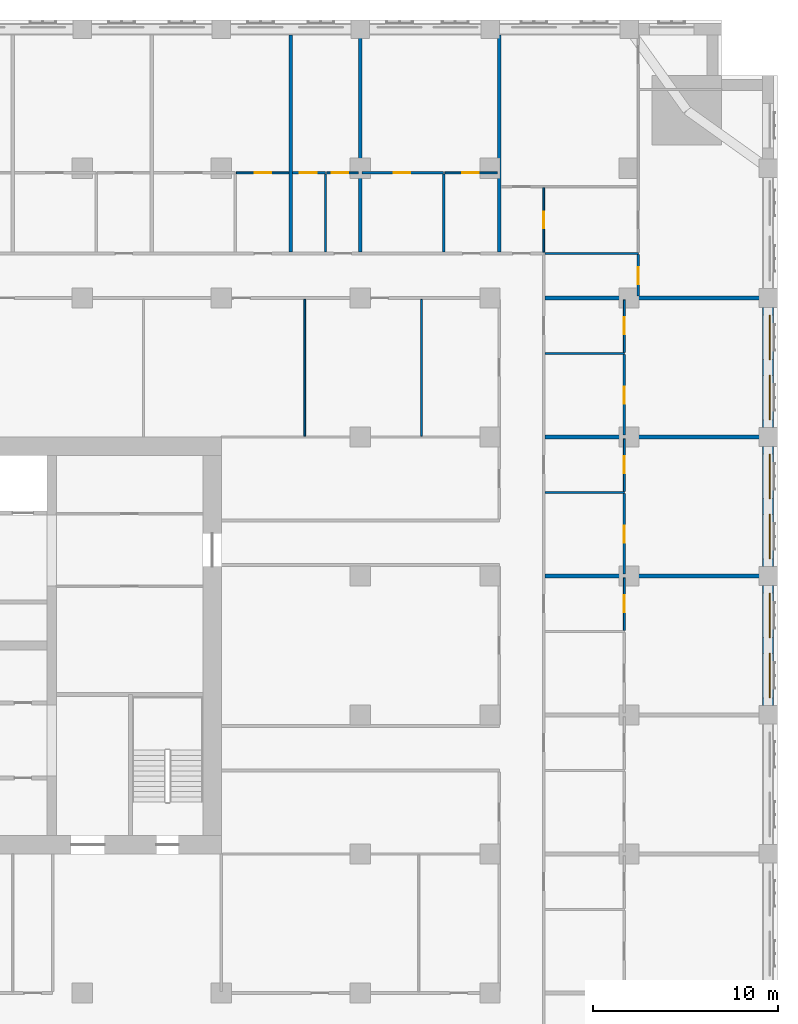
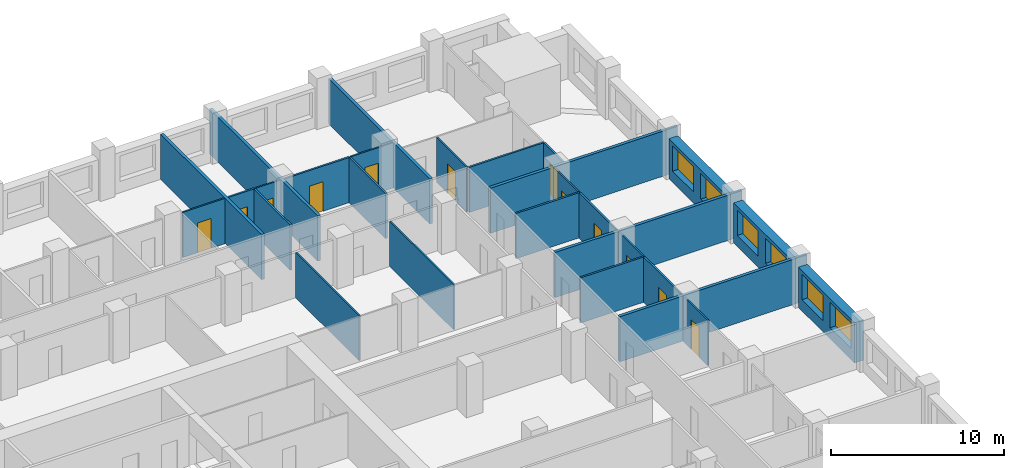
# One storey, part 10 of 14: 28 walls, 12 doors, 6 windows, 18 openings.
"""IFC4 building model written with IfcOpenShell, lengths in metres."""

from ifc_helpers import new_model, si_unit, direction, frame, frame_2d, origin, place, context, subcontext, project, spatial, rectangle, extrude, material, layer, layer_set, type_object, element, fill, save


model = new_model("IFC4")

# Units and contexts
model_context = context("Model", 3, precision=1e-05, world=origin(), true_north=direction((0.0, 1.0)))
body_context = subcontext(model_context, "Body", "Model", "MODEL_VIEW")
ifc_project = project(units=[si_unit("LENGTHUNIT", "METRE"), si_unit("AREAUNIT", "SQUARE_METRE"), si_unit("VOLUMEUNIT", "CUBIC_METRE"), si_unit("PLANEANGLEUNIT", "RADIAN"), si_unit("MASSUNIT", "GRAM", prefix="KILO")], contexts=[model_context])

# Site, building, storey
site_placement = place(None, origin())
site = spatial("IfcSite", under=ifc_project, at=site_placement, CompositionType="ELEMENT")
building_placement = place(site_placement, origin())
building = spatial("IfcBuilding", under=site, at=building_placement, Name="Tamorin Gate", CompositionType="ELEMENT")
storey_placement = place(building_placement, frame((0.0, 0.0, 115.10009765625)))
storey = spatial("IfcBuildingStorey", under=building, at=storey_placement, Name="L28", CompositionType="ELEMENT", Elevation=115.10009765625)

# Wall, openings, windows
ifc_material_1 = material(Name="Precast concrete C40/50", Category="concrete")
ifc_layer_1 = layer(ifc_material_1, 0.60009765625)
ifc_layer_set_1 = layer_set([ifc_layer_1], Name="Precast concrete C40/50")
wall_type_1 = type_object("IfcWallType", Name="Board-marked concrete facade panel 600", PredefinedType="SOLIDWALL", material=ifc_layer_set_1)
wall_1_placement = place(storey_placement, frame((89.5, 68.0, 0.0), z_axis=(0.0, 0.0, 1.0), x_axis=(0.0, 1.0, 0.0)))
wall_1 = element("IfcWall", 1, at=wall_1_placement, inside=storey, type_object=wall_type_1, Name="Facade panel", PredefinedType="SOLIDWALL", context=body_context, shape_type="SweptSolid", body=[
    extrude(rectangle(XDim=6.5, YDim=0.60009765625, at=frame_2d((3.25, 0.0))), origin(), (0.0, 0.0, 1.0), 2.849853515625),
])
opening_1_placement = place(wall_1_placement, frame((0.425048828125, 0.0, 0.800048828125)))
opening_1 = element("IfcOpeningElement", 2, at=opening_1_placement, cuts=wall_1, Name="Opening WN1", PredefinedType="OPENING", context=body_context, shape_type="SweptSolid", body=[
    extrude(rectangle(XDim=2.39990234375, YDim=1.800048828125, at=frame_2d((1.199951171875, 0.89990234375))), frame((0.0, 0.31005859375, 0.0), z_axis=(0.0, -1.0, 0.0), x_axis=(1.0, 0.0, 0.0)), (0.0, 0.0, 1.0), 0.6201171875),
])
opening_2_placement = place(wall_1_placement, frame((3.675048828125, 0.0, 0.800048828125)))
opening_2 = element("IfcOpeningElement", 3, at=opening_2_placement, cuts=wall_1, Name="Opening WN1", PredefinedType="OPENING", context=body_context, shape_type="SweptSolid", body=[
    extrude(rectangle(XDim=2.39990234375, YDim=1.800048828125, at=frame_2d((1.199951171875, 0.89990234375))), frame((0.0, 0.31005859375, 0.0), z_axis=(0.0, -1.0, 0.0), x_axis=(1.0, 0.0, 0.0)), (0.0, 0.0, 1.0), 0.6201171875),
])
ifc_material_2 = material(Name="Clear glass in aluminium frame", Category="aluminium")
window_type = type_object("IfcWindowType", Name="Deep-set window 2400x1800", PartitioningType="SINGLE_PANEL", PredefinedType="WINDOW", material=ifc_material_2)
window_1_placement = place(opening_1_placement, origin())
window_1 = element("IfcWindow", 4, at=window_1_placement, inside=storey, type_object=window_type, Name="Deep-set window", OverallHeight=1.800048828125, OverallWidth=2.39990234375, PartitioningType="SINGLE_PANEL", PredefinedType="WINDOW", context=body_context, shape_type="SweptSolid", body=[
    extrude(rectangle(XDim=2.39990234375, YDim=1.800048828125, at=frame_2d((1.199951171875, 0.89990234375))), frame((0.0, -0.070068359375, 0.0), z_axis=(0.0, -1.0, 0.0), x_axis=(1.0, 0.0, 0.0)), (0.0, 0.0, 1.0), 0.06005859375),
])
fill(opening_1, window_1)
window_2_placement = place(opening_2_placement, origin())
window_2 = element("IfcWindow", 5, at=window_2_placement, inside=storey, type_object=window_type, Name="Deep-set window", OverallHeight=1.800048828125, OverallWidth=2.39990234375, PartitioningType="SINGLE_PANEL", PredefinedType="WINDOW", context=body_context, shape_type="SweptSolid", body=[
    extrude(rectangle(XDim=2.39990234375, YDim=1.800048828125, at=frame_2d((1.199951171875, 0.89990234375))), frame((0.0, -0.070068359375, 0.0), z_axis=(0.0, -1.0, 0.0), x_axis=(1.0, 0.0, 0.0)), (0.0, 0.0, 1.0), 0.06005859375),
])
fill(opening_2, window_2)

wall_2_placement = place(storey_placement, frame((89.5, 75.5, 0.0), z_axis=(0.0, 0.0, 1.0), x_axis=(0.0, 1.0, 0.0)))
wall_2 = element("IfcWall", 6, at=wall_2_placement, inside=storey, type_object=wall_type_1, Name="Facade panel", PredefinedType="SOLIDWALL", context=body_context, shape_type="SweptSolid", body=[
    extrude(rectangle(XDim=6.5, YDim=0.60009765625, at=frame_2d((3.25, 0.0))), origin(), (0.0, 0.0, 1.0), 2.849853515625),
])
opening_3_placement = place(wall_2_placement, frame((0.425048828125, 0.0, 0.800048828125)))
opening_3 = element("IfcOpeningElement", 7, at=opening_3_placement, cuts=wall_2, Name="Opening WN1", PredefinedType="OPENING", context=body_context, shape_type="SweptSolid", body=[
    extrude(rectangle(XDim=2.39990234375, YDim=1.800048828125, at=frame_2d((1.199951171875, 0.89990234375))), frame((0.0, 0.31005859375, 0.0), z_axis=(0.0, -1.0, 0.0), x_axis=(1.0, 0.0, 0.0)), (0.0, 0.0, 1.0), 0.6201171875),
])
opening_4_placement = place(wall_2_placement, frame((3.675048828125, 0.0, 0.800048828125)))
opening_4 = element("IfcOpeningElement", 8, at=opening_4_placement, cuts=wall_2, Name="Opening WN1", PredefinedType="OPENING", context=body_context, shape_type="SweptSolid", body=[
    extrude(rectangle(XDim=2.39990234375, YDim=1.800048828125, at=frame_2d((1.199951171875, 0.89990234375))), frame((0.0, 0.31005859375, 0.0), z_axis=(0.0, -1.0, 0.0), x_axis=(1.0, 0.0, 0.0)), (0.0, 0.0, 1.0), 0.6201171875),
])
window_3_placement = place(opening_3_placement, origin())
window_3 = element("IfcWindow", 9, at=window_3_placement, inside=storey, type_object=window_type, Name="Deep-set window", OverallHeight=1.800048828125, OverallWidth=2.39990234375, PartitioningType="SINGLE_PANEL", PredefinedType="WINDOW", context=body_context, shape_type="SweptSolid", body=[
    extrude(rectangle(XDim=2.39990234375, YDim=1.800048828125, at=frame_2d((1.199951171875, 0.89990234375))), frame((0.0, -0.070068359375, 0.0), z_axis=(0.0, -1.0, 0.0), x_axis=(1.0, 0.0, 0.0)), (0.0, 0.0, 1.0), 0.06005859375),
])
fill(opening_3, window_3)
window_4_placement = place(opening_4_placement, origin())
window_4 = element("IfcWindow", 10, at=window_4_placement, inside=storey, type_object=window_type, Name="Deep-set window", OverallHeight=1.800048828125, OverallWidth=2.39990234375, PartitioningType="SINGLE_PANEL", PredefinedType="WINDOW", context=body_context, shape_type="SweptSolid", body=[
    extrude(rectangle(XDim=2.39990234375, YDim=1.800048828125, at=frame_2d((1.199951171875, 0.89990234375))), frame((0.0, -0.070068359375, 0.0), z_axis=(0.0, -1.0, 0.0), x_axis=(1.0, 0.0, 0.0)), (0.0, 0.0, 1.0), 0.06005859375),
])
fill(opening_4, window_4)

wall_3_placement = place(storey_placement, frame((89.5, 83.0, 0.0), z_axis=(0.0, 0.0, 1.0), x_axis=(0.0, 1.0, 0.0)))
wall_3 = element("IfcWall", 11, at=wall_3_placement, inside=storey, type_object=wall_type_1, Name="Facade panel", PredefinedType="SOLIDWALL", context=body_context, shape_type="SweptSolid", body=[
    extrude(rectangle(XDim=6.5, YDim=0.60009765625, at=frame_2d((3.25, 0.0))), origin(), (0.0, 0.0, 1.0), 2.849853515625),
])
opening_5_placement = place(wall_3_placement, frame((0.425048828125, 0.0, 0.800048828125)))
opening_5 = element("IfcOpeningElement", 12, at=opening_5_placement, cuts=wall_3, Name="Opening WN1", PredefinedType="OPENING", context=body_context, shape_type="SweptSolid", body=[
    extrude(rectangle(XDim=2.39990234375, YDim=1.800048828125, at=frame_2d((1.199951171875, 0.89990234375))), frame((0.0, 0.31005859375, 0.0), z_axis=(0.0, -1.0, 0.0), x_axis=(1.0, 0.0, 0.0)), (0.0, 0.0, 1.0), 0.6201171875),
])
opening_6_placement = place(wall_3_placement, frame((3.675048828125, 0.0, 0.800048828125)))
opening_6 = element("IfcOpeningElement", 13, at=opening_6_placement, cuts=wall_3, Name="Opening WN1", PredefinedType="OPENING", context=body_context, shape_type="SweptSolid", body=[
    extrude(rectangle(XDim=2.39990234375, YDim=1.800048828125, at=frame_2d((1.199951171875, 0.89990234375))), frame((0.0, 0.31005859375, 0.0), z_axis=(0.0, -1.0, 0.0), x_axis=(1.0, 0.0, 0.0)), (0.0, 0.0, 1.0), 0.6201171875),
])
window_5_placement = place(opening_5_placement, origin())
window_5 = element("IfcWindow", 14, at=window_5_placement, inside=storey, type_object=window_type, Name="Deep-set window", OverallHeight=1.800048828125, OverallWidth=2.39990234375, PartitioningType="SINGLE_PANEL", PredefinedType="WINDOW", context=body_context, shape_type="SweptSolid", body=[
    extrude(rectangle(XDim=2.39990234375, YDim=1.800048828125, at=frame_2d((1.199951171875, 0.89990234375))), frame((0.0, -0.070068359375, 0.0), z_axis=(0.0, -1.0, 0.0), x_axis=(1.0, 0.0, 0.0)), (0.0, 0.0, 1.0), 0.06005859375),
])
fill(opening_5, window_5)
window_6_placement = place(opening_6_placement, origin())
window_6 = element("IfcWindow", 15, at=window_6_placement, inside=storey, type_object=window_type, Name="Deep-set window", OverallHeight=1.800048828125, OverallWidth=2.39990234375, PartitioningType="SINGLE_PANEL", PredefinedType="WINDOW", context=body_context, shape_type="SweptSolid", body=[
    extrude(rectangle(XDim=2.39990234375, YDim=1.800048828125, at=frame_2d((1.199951171875, 0.89990234375))), frame((0.0, -0.070068359375, 0.0), z_axis=(0.0, -1.0, 0.0), x_axis=(1.0, 0.0, 0.0)), (0.0, 0.0, 1.0), 0.06005859375),
])
fill(opening_6, window_6)

# Walls
ifc_material_3 = material(Name="Gypsum board partition")
ifc_layer_2 = layer(ifc_material_3, 0.199951171875)
ifc_layer_set_2 = layer_set([ifc_layer_2], Name="Demising wall 200")
wall_type_2 = type_object("IfcWallType", Name="Demising wall 200", PredefinedType="PARTITIONING", material=ifc_layer_set_2)
for number, where, z_axis, x_axis, name in (
    (16, (77.47509765625, 75.0, 0.0), (0.0, 0.0, 1.0), (1.0, 0.0, 0.0), "Demising wall 200"),
    (17, (77.47509765625, 82.5, 0.0), (0.0, 0.0, 1.0), (1.0, 0.0, 0.0), "Demising wall 200"),
    (18, (77.47509765625, 90.0, 0.0), (0.0, 0.0, 1.0), (1.0, 0.0, 0.0), "Demising wall 200"),
):
    element("IfcWall", number, at=place(storey_placement, frame(where, z_axis=z_axis, x_axis=x_axis)), inside=storey, type_object=wall_type_2, Name=name, PredefinedType="PARTITIONING", context=body_context, shape_type="SweptSolid", body=[
        extrude(rectangle(XDim=12.52490234375, YDim=0.199951171875, at=frame_2d((6.262451171875, 0.0))), origin(), (0.0, 0.0, 1.0), 3.199951171875),
    ])
wall_4_placement = place(storey_placement, frame((63.75, 92.47509765625, 0.0), z_axis=(0.0, 0.0, 1.0), x_axis=(0.0, 1.0, 0.0)))
element("IfcWall", 19, at=wall_4_placement, inside=storey, type_object=wall_type_2, Name="Demising wall 200", PredefinedType="PARTITIONING", context=body_context, shape_type="SweptSolid", body=[
    extrude(rectangle(XDim=11.71484375, YDim=0.199951171875, at=frame_2d((5.857421875, 0.0))), origin(), (0.0, 0.0, 1.0), 3.199951171875),
])
wall_5_placement = place(storey_placement, frame((67.5, 92.47509765625, 0.0), z_axis=(0.0, 0.0, 1.0), x_axis=(0.0, 1.0, 0.0)))
element("IfcWall", 20, at=wall_5_placement, inside=storey, type_object=wall_type_2, Name="Demising wall 200", PredefinedType="PARTITIONING", context=body_context, shape_type="SweptSolid", body=[
    extrude(rectangle(XDim=12.52490234375, YDim=0.199951171875, at=frame_2d((6.262451171875, 0.0))), origin(), (0.0, 0.0, 1.0), 3.199951171875),
])
wall_6_placement = place(storey_placement, frame((75.0, 92.47509765625, 0.0), z_axis=(0.0, 0.0, 1.0), x_axis=(0.0, 1.0, 0.0)))
element("IfcWall", 21, at=wall_6_placement, inside=storey, type_object=wall_type_2, Name="Demising wall 200", PredefinedType="PARTITIONING", context=body_context, shape_type="SweptSolid", body=[
    extrude(rectangle(XDim=11.71484375, YDim=0.199951171875, at=frame_2d((5.857421875, 0.0))), origin(), (0.0, 0.0, 1.0), 3.199951171875),
])

# Wall, opening, door
ifc_layer_3 = layer(ifc_material_3, 0.10009765625)
ifc_layer_set_3 = layer_set([ifc_layer_3], Name="Room partition 100")
wall_type_3 = type_object("IfcWallType", Name="Room partition 100", PredefinedType="PARTITIONING", material=ifc_layer_set_3)
wall_7_placement = place(storey_placement, frame((60.8125, 96.75, 0.0), z_axis=(0.0, 0.0, 1.0), x_axis=(1.0, 0.0, 0.0)))
wall_7 = element("IfcWall", 22, at=wall_7_placement, inside=storey, type_object=wall_type_3, Name="Room partition 100", PredefinedType="PARTITIONING", context=body_context, shape_type="SweptSolid", body=[
    extrude(rectangle(XDim=2.83740234375, YDim=0.10009765625, at=frame_2d((1.418701171875, 0.0))), origin(), (0.0, 0.0, 1.0), 3.199951171875),
])
opening_7_placement = place(wall_7_placement, frame((0.987548828125, 0.0, 0.0)))
opening_7 = element("IfcOpeningElement", 23, at=opening_7_placement, cuts=wall_7, Name="Opening DH7032", PredefinedType="OPENING", context=body_context, shape_type="SweptSolid", body=[
    extrude(rectangle(XDim=0.89990234375, YDim=2.10009765625, at=frame_2d((0.449951171875, 1.050048828125))), frame((0.0, 0.06005859375, 0.0), z_axis=(0.0, -1.0, 0.0), x_axis=(1.0, 0.0, 0.0)), (0.0, 0.0, 1.0), 0.1201171875),
])
ifc_material_4 = material(Name="Timber door leaf", Category="wood")
door_type = type_object("IfcDoorType", Name="Door 900 x 2100", OperationType="NOTDEFINED", PredefinedType="DOOR", material=ifc_material_4)
door_1_placement = place(opening_7_placement, origin())
door_1 = element("IfcDoor", 24, at=door_1_placement, inside=storey, type_object=door_type, Name="Door DH7032", OperationType="SINGLE_SWING_RIGHT", OverallHeight=2.10009765625, OverallWidth=0.89990234375, PredefinedType="DOOR", context=body_context, shape_type="SweptSolid", body=[
    extrude(rectangle(XDim=0.89990234375, YDim=2.10009765625, at=frame_2d((0.449951171875, 1.050048828125))), frame((0.0, 0.02490234375, 0.0), z_axis=(0.0, -1.0, 0.0), x_axis=(1.0, 0.0, 0.0)), (0.0, 0.0, 1.0), 0.050048828125),
])
fill(opening_7, door_1)

wall_8_placement = place(storey_placement, frame((65.6875, 96.75, 0.0), z_axis=(0.0, 0.0, 1.0), x_axis=(1.0, 0.0, 0.0)))
wall_8 = element("IfcWall", 25, at=wall_8_placement, inside=storey, type_object=wall_type_3, Name="Room partition 100", PredefinedType="PARTITIONING", context=body_context, shape_type="SweptSolid", body=[
    extrude(rectangle(XDim=1.71240234375, YDim=0.10009765625, at=frame_2d((0.856201171875, 0.0))), origin(), (0.0, 0.0, 1.0), 3.199951171875),
])
opening_8_placement = place(wall_8_placement, frame((0.27490234375, 0.0, 0.0)))
opening_8 = element("IfcOpeningElement", 26, at=opening_8_placement, cuts=wall_8, Name="Opening DH7035", PredefinedType="OPENING", context=body_context, shape_type="SweptSolid", body=[
    extrude(rectangle(XDim=0.89990234375, YDim=2.10009765625, at=frame_2d((0.449951171875, 1.050048828125))), frame((0.0, 0.06005859375, 0.0), z_axis=(0.0, -1.0, 0.0), x_axis=(1.0, 0.0, 0.0)), (0.0, 0.0, 1.0), 0.1201171875),
])
door_2_placement = place(opening_8_placement, origin())
door_2 = element("IfcDoor", 27, at=door_2_placement, inside=storey, type_object=door_type, Name="Door DH7035", OperationType="SINGLE_SWING_RIGHT", OverallHeight=2.10009765625, OverallWidth=0.89990234375, PredefinedType="DOOR", context=body_context, shape_type="SweptSolid", body=[
    extrude(rectangle(XDim=0.89990234375, YDim=2.10009765625, at=frame_2d((0.449951171875, 1.050048828125))), frame((0.0, 0.02490234375, 0.0), z_axis=(0.0, -1.0, 0.0), x_axis=(1.0, 0.0, 0.0)), (0.0, 0.0, 1.0), 0.050048828125),
])
fill(opening_8, door_2)

wall_9_placement = place(storey_placement, frame((72.0625, 96.75, 0.0), z_axis=(0.0, 0.0, 1.0), x_axis=(1.0, 0.0, 0.0)))
wall_9 = element("IfcWall", 28, at=wall_9_placement, inside=storey, type_object=wall_type_3, Name="Room partition 100", PredefinedType="PARTITIONING", context=body_context, shape_type="SweptSolid", body=[
    extrude(rectangle(XDim=2.83740234375, YDim=0.10009765625, at=frame_2d((1.418701171875, 0.0))), origin(), (0.0, 0.0, 1.0), 3.199951171875),
])
opening_9_placement = place(wall_9_placement, frame((0.9375, 0.0, 0.0)))
opening_9 = element("IfcOpeningElement", 29, at=opening_9_placement, cuts=wall_9, Name="Opening DH7038", PredefinedType="OPENING", context=body_context, shape_type="SweptSolid", body=[
    extrude(rectangle(XDim=0.89990234375, YDim=2.10009765625, at=frame_2d((0.449951171875, 1.050048828125))), frame((0.0, 0.06005859375, 0.0), z_axis=(0.0, -1.0, 0.0), x_axis=(1.0, 0.0, 0.0)), (0.0, 0.0, 1.0), 0.1201171875),
])
door_3_placement = place(opening_9_placement, origin())
door_3 = element("IfcDoor", 30, at=door_3_placement, inside=storey, type_object=door_type, Name="Door DH7038", OperationType="SINGLE_SWING_RIGHT", OverallHeight=2.10009765625, OverallWidth=0.89990234375, PredefinedType="DOOR", context=body_context, shape_type="SweptSolid", body=[
    extrude(rectangle(XDim=0.89990234375, YDim=2.10009765625, at=frame_2d((0.449951171875, 1.050048828125))), frame((0.0, 0.02490234375, 0.0), z_axis=(0.0, -1.0, 0.0), x_axis=(1.0, 0.0, 0.0)), (0.0, 0.0, 1.0), 0.050048828125),
])
fill(opening_9, door_3)

# Walls
for number, where, z_axis, x_axis, name in (
    (31, (64.5, 82.550048828125, 0.0), (0.0, 0.0, 1.0), (0.0, 1.0, 0.0), "Room partition 100"),
    (32, (70.800048828125, 82.550048828125, 0.0), (0.0, 0.0, 1.0), (0.0, 1.0, 0.0), "Room partition 100"),
):
    element("IfcWall", number, at=place(storey_placement, frame(where, z_axis=z_axis, x_axis=x_axis)), inside=storey, type_object=wall_type_3, Name=name, PredefinedType="PARTITIONING", context=body_context, shape_type="SweptSolid", body=[
        extrude(rectangle(XDim=7.375, YDim=0.10009765625, at=frame_2d((3.6875, 0.0))), origin(), (0.0, 0.0, 1.0), 3.199951171875),
    ])

# Wall, opening, door
wall_10_placement = place(storey_placement, frame((77.39990234375, 92.47509765625, 0.0), z_axis=(0.0, 0.0, 1.0), x_axis=(0.0, 1.0, 0.0)))
wall_10 = element("IfcWall", 33, at=wall_10_placement, inside=storey, type_object=wall_type_3, Name="Room partition 100", PredefinedType="PARTITIONING", context=body_context, shape_type="SweptSolid", body=[
    extrude(rectangle(XDim=3.474853515625, YDim=0.10009765625, at=frame_2d((1.7373046875, 0.0))), origin(), (0.0, 0.0, 1.0), 3.199951171875),
])
opening_10_placement = place(wall_10_placement, frame((1.27490234375, 0.0, 0.0)))
opening_10 = element("IfcOpeningElement", 34, at=opening_10_placement, cuts=wall_10, Name="Opening DH7062", PredefinedType="OPENING", context=body_context, shape_type="SweptSolid", body=[
    extrude(rectangle(XDim=0.89990234375, YDim=2.10009765625, at=frame_2d((0.449951171875, 1.050048828125))), frame((0.0, 0.06005859375, 0.0), z_axis=(0.0, -1.0, 0.0), x_axis=(1.0, 0.0, 0.0)), (0.0, 0.0, 1.0), 0.1201171875),
])
door_4_placement = place(opening_10_placement, origin())
door_4 = element("IfcDoor", 35, at=door_4_placement, inside=storey, type_object=door_type, Name="Door DH7062", OperationType="SINGLE_SWING_RIGHT", OverallHeight=2.10009765625, OverallWidth=0.89990234375, PredefinedType="DOOR", context=body_context, shape_type="SweptSolid", body=[
    extrude(rectangle(XDim=0.89990234375, YDim=2.10009765625, at=frame_2d((0.449951171875, 1.050048828125))), frame((0.0, 0.02490234375, 0.0), z_axis=(0.0, -1.0, 0.0), x_axis=(1.0, 0.0, 0.0)), (0.0, 0.0, 1.0), 0.050048828125),
])
fill(opening_10, door_4)

wall_11_placement = place(storey_placement, frame((81.75, 72.0625, 0.0), z_axis=(0.0, 0.0, 1.0), x_axis=(0.0, 1.0, 0.0)))
wall_11 = element("IfcWall", 36, at=wall_11_placement, inside=storey, type_object=wall_type_3, Name="Room partition 100", PredefinedType="PARTITIONING", context=body_context, shape_type="SweptSolid", body=[
    extrude(rectangle(XDim=2.83740234375, YDim=0.10009765625, at=frame_2d((1.418701171875, 0.0))), origin(), (0.0, 0.0, 1.0), 3.199951171875),
])
opening_11_placement = place(wall_11_placement, frame((0.987548828125, 0.0, 0.0)))
opening_11 = element("IfcOpeningElement", 37, at=opening_11_placement, cuts=wall_11, Name="Opening DH7047", PredefinedType="OPENING", context=body_context, shape_type="SweptSolid", body=[
    extrude(rectangle(XDim=0.89990234375, YDim=2.10009765625, at=frame_2d((0.449951171875, 1.050048828125))), frame((0.0, 0.06005859375, 0.0), z_axis=(0.0, -1.0, 0.0), x_axis=(1.0, 0.0, 0.0)), (0.0, 0.0, 1.0), 0.1201171875),
])
door_5_placement = place(opening_11_placement, origin())
door_5 = element("IfcDoor", 38, at=door_5_placement, inside=storey, type_object=door_type, Name="Door DH7047", OperationType="SINGLE_SWING_LEFT", OverallHeight=2.10009765625, OverallWidth=0.89990234375, PredefinedType="DOOR", context=body_context, shape_type="SweptSolid", body=[
    extrude(rectangle(XDim=0.89990234375, YDim=2.10009765625, at=frame_2d((0.449951171875, 1.050048828125))), frame((0.0, 0.02490234375, 0.0), z_axis=(0.0, -1.0, 0.0), x_axis=(1.0, 0.0, 0.0)), (0.0, 0.0, 1.0), 0.050048828125),
])
fill(opening_11, door_5)

wall_12_placement = place(storey_placement, frame((81.75, 79.5625, 0.0), z_axis=(0.0, 0.0, 1.0), x_axis=(0.0, 1.0, 0.0)))
wall_12 = element("IfcWall", 39, at=wall_12_placement, inside=storey, type_object=wall_type_3, Name="Room partition 100", PredefinedType="PARTITIONING", context=body_context, shape_type="SweptSolid", body=[
    extrude(rectangle(XDim=2.83740234375, YDim=0.10009765625, at=frame_2d((1.418701171875, 0.0))), origin(), (0.0, 0.0, 1.0), 3.199951171875),
])
opening_12_placement = place(wall_12_placement, frame((0.987548828125, 0.0, 0.0)))
opening_12 = element("IfcOpeningElement", 40, at=opening_12_placement, cuts=wall_12, Name="Opening DH7050", PredefinedType="OPENING", context=body_context, shape_type="SweptSolid", body=[
    extrude(rectangle(XDim=0.89990234375, YDim=2.10009765625, at=frame_2d((0.449951171875, 1.050048828125))), frame((0.0, 0.06005859375, 0.0), z_axis=(0.0, -1.0, 0.0), x_axis=(1.0, 0.0, 0.0)), (0.0, 0.0, 1.0), 0.1201171875),
])
door_6_placement = place(opening_12_placement, origin())
door_6 = element("IfcDoor", 41, at=door_6_placement, inside=storey, type_object=door_type, Name="Door DH7050", OperationType="SINGLE_SWING_LEFT", OverallHeight=2.10009765625, OverallWidth=0.89990234375, PredefinedType="DOOR", context=body_context, shape_type="SweptSolid", body=[
    extrude(rectangle(XDim=0.89990234375, YDim=2.10009765625, at=frame_2d((0.449951171875, 1.050048828125))), frame((0.0, 0.02490234375, 0.0), z_axis=(0.0, -1.0, 0.0), x_axis=(1.0, 0.0, 0.0)), (0.0, 0.0, 1.0), 0.050048828125),
])
fill(opening_12, door_6)

wall_13_placement = place(storey_placement, frame((81.75, 87.0625, 0.0), z_axis=(0.0, 0.0, 1.0), x_axis=(0.0, 1.0, 0.0)))
wall_13 = element("IfcWall", 42, at=wall_13_placement, inside=storey, type_object=wall_type_3, Name="Room partition 100", PredefinedType="PARTITIONING", context=body_context, shape_type="SweptSolid", body=[
    extrude(rectangle(XDim=2.83740234375, YDim=0.10009765625, at=frame_2d((1.418701171875, 0.0))), origin(), (0.0, 0.0, 1.0), 3.199951171875),
])
opening_13_placement = place(wall_13_placement, frame((0.987548828125, 0.0, 0.0)))
opening_13 = element("IfcOpeningElement", 43, at=opening_13_placement, cuts=wall_13, Name="Opening DH7053", PredefinedType="OPENING", context=body_context, shape_type="SweptSolid", body=[
    extrude(rectangle(XDim=0.89990234375, YDim=2.10009765625, at=frame_2d((0.449951171875, 1.050048828125))), frame((0.0, 0.06005859375, 0.0), z_axis=(0.0, -1.0, 0.0), x_axis=(1.0, 0.0, 0.0)), (0.0, 0.0, 1.0), 0.1201171875),
])
door_7_placement = place(opening_13_placement, origin())
door_7 = element("IfcDoor", 44, at=door_7_placement, inside=storey, type_object=door_type, Name="Door DH7053", OperationType="SINGLE_SWING_LEFT", OverallHeight=2.10009765625, OverallWidth=0.89990234375, PredefinedType="DOOR", context=body_context, shape_type="SweptSolid", body=[
    extrude(rectangle(XDim=0.89990234375, YDim=2.10009765625, at=frame_2d((0.449951171875, 1.050048828125))), frame((0.0, 0.02490234375, 0.0), z_axis=(0.0, -1.0, 0.0), x_axis=(1.0, 0.0, 0.0)), (0.0, 0.0, 1.0), 0.050048828125),
])
fill(opening_13, door_7)

# Walls
ifc_layer_4 = layer(ifc_material_3, 0.125)
ifc_layer_set_4 = layer_set([ifc_layer_4], Name="Wet wall 125")
wall_type_4 = type_object("IfcWallType", Name="Wet wall 125", PredefinedType="PARTITIONING", material=ifc_layer_set_4)
for number, where, z_axis, x_axis, name in (
    (45, (77.47509765625, 79.5, 0.0), (0.0, 0.0, 1.0), (1.0, 0.0, 0.0), "Wet wall 125"),
    (46, (77.47509765625, 87.0, 0.0), (0.0, 0.0, 1.0), (1.0, 0.0, 0.0), "Wet wall 125"),
):
    element("IfcWall", number, at=place(storey_placement, frame(where, z_axis=z_axis, x_axis=x_axis)), inside=storey, type_object=wall_type_4, Name=name, PredefinedType="PARTITIONING", context=body_context, shape_type="SweptSolid", body=[
        extrude(rectangle(XDim=4.27490234375, YDim=0.125, at=frame_2d((2.137451171875, 0.0))), origin(), (0.0, 0.0, 1.0), 3.199951171875),
    ])
wall_14_placement = place(storey_placement, frame((77.47509765625, 92.39990234375, 0.0), z_axis=(0.0, 0.0, 1.0), x_axis=(1.0, 0.0, 0.0)))
element("IfcWall", 47, at=wall_14_placement, inside=storey, type_object=wall_type_4, Name="Wet wall 125", PredefinedType="PARTITIONING", context=body_context, shape_type="SweptSolid", body=[
    extrude(rectangle(XDim=5.02490234375, YDim=0.125, at=frame_2d((2.512451171875, 0.0))), origin(), (0.0, 0.0, 1.0), 3.199951171875),
])

# Wall, opening, door
wall_15_placement = place(storey_placement, frame((63.85009765625, 96.75, 0.0), z_axis=(0.0, 0.0, 1.0), x_axis=(1.0, 0.0, 0.0)))
wall_15 = element("IfcWall", 48, at=wall_15_placement, inside=storey, type_object=wall_type_4, Name="Wet wall 125", PredefinedType="PARTITIONING", context=body_context, shape_type="SweptSolid", body=[
    extrude(rectangle(XDim=1.77490234375, YDim=0.125, at=frame_2d((0.887451171875, 0.0))), origin(), (0.0, 0.0, 1.0), 3.199951171875),
])
opening_14_placement = place(wall_15_placement, frame((0.387451171875, 0.0, 0.0)))
opening_14 = element("IfcOpeningElement", 49, at=opening_14_placement, cuts=wall_15, Name="Opening DH7033", PredefinedType="OPENING", context=body_context, shape_type="SweptSolid", body=[
    extrude(rectangle(XDim=0.89990234375, YDim=2.10009765625, at=frame_2d((0.449951171875, 1.050048828125))), frame((0.0, 0.072509765625, 0.0), z_axis=(0.0, -1.0, 0.0), x_axis=(1.0, 0.0, 0.0)), (0.0, 0.0, 1.0), 0.14501953125),
])
door_8_placement = place(opening_14_placement, origin())
door_8 = element("IfcDoor", 50, at=door_8_placement, inside=storey, type_object=door_type, Name="Door DH7033", OperationType="SINGLE_SWING_RIGHT", OverallHeight=2.10009765625, OverallWidth=0.89990234375, PredefinedType="DOOR", context=body_context, shape_type="SweptSolid", body=[
    extrude(rectangle(XDim=0.89990234375, YDim=2.10009765625, at=frame_2d((0.449951171875, 1.050048828125))), frame((0.0, 0.02490234375, 0.0), z_axis=(0.0, -1.0, 0.0), x_axis=(1.0, 0.0, 0.0)), (0.0, 0.0, 1.0), 0.050048828125),
])
fill(opening_14, door_8)

wall_16_placement = place(storey_placement, frame((67.60009765625, 96.75, 0.0), z_axis=(0.0, 0.0, 1.0), x_axis=(1.0, 0.0, 0.0)))
wall_16 = element("IfcWall", 51, at=wall_16_placement, inside=storey, type_object=wall_type_4, Name="Wet wall 125", PredefinedType="PARTITIONING", context=body_context, shape_type="SweptSolid", body=[
    extrude(rectangle(XDim=4.39990234375, YDim=0.125, at=frame_2d((2.199951171875, 0.0))), origin(), (0.0, 0.0, 1.0), 3.199951171875),
])
opening_15_placement = place(wall_16_placement, frame((1.699951171875, 0.0, 0.0)))
opening_15 = element("IfcOpeningElement", 52, at=opening_15_placement, cuts=wall_16, Name="Opening DH7036", PredefinedType="OPENING", context=body_context, shape_type="SweptSolid", body=[
    extrude(rectangle(XDim=0.89990234375, YDim=2.10009765625, at=frame_2d((0.449951171875, 1.050048828125))), frame((0.0, 0.072509765625, 0.0), z_axis=(0.0, -1.0, 0.0), x_axis=(1.0, 0.0, 0.0)), (0.0, 0.0, 1.0), 0.14501953125),
])
door_9_placement = place(opening_15_placement, origin())
door_9 = element("IfcDoor", 53, at=door_9_placement, inside=storey, type_object=door_type, Name="Door DH7036", OperationType="SINGLE_SWING_RIGHT", OverallHeight=2.10009765625, OverallWidth=0.89990234375, PredefinedType="DOOR", context=body_context, shape_type="SweptSolid", body=[
    extrude(rectangle(XDim=0.89990234375, YDim=2.10009765625, at=frame_2d((0.449951171875, 1.050048828125))), frame((0.0, 0.02490234375, 0.0), z_axis=(0.0, -1.0, 0.0), x_axis=(1.0, 0.0, 0.0)), (0.0, 0.0, 1.0), 0.050048828125),
])
fill(opening_15, door_9)

# Walls
for number, where, z_axis, x_axis, name in (
    (54, (65.625, 92.47509765625, 0.0), (0.0, 0.0, 1.0), (0.0, 1.0, 0.0), "Wet wall 125"),
    (55, (72.0, 92.47509765625, 0.0), (0.0, 0.0, 1.0), (0.0, 1.0, 0.0), "Wet wall 125"),
):
    element("IfcWall", number, at=place(storey_placement, frame(where, z_axis=z_axis, x_axis=x_axis)), inside=storey, type_object=wall_type_4, Name=name, PredefinedType="PARTITIONING", context=body_context, shape_type="SweptSolid", body=[
        extrude(rectangle(XDim=4.21240234375, YDim=0.125, at=frame_2d((2.106201171875, 0.0))), origin(), (0.0, 0.0, 1.0), 3.199951171875),
    ])

# Wall, opening, door
wall_17_placement = place(storey_placement, frame((81.75, 75.10009765625, 0.0), z_axis=(0.0, 0.0, 1.0), x_axis=(0.0, 1.0, 0.0)))
wall_17 = element("IfcWall", 56, at=wall_17_placement, inside=storey, type_object=wall_type_4, Name="Wet wall 125", PredefinedType="PARTITIONING", context=body_context, shape_type="SweptSolid", body=[
    extrude(rectangle(XDim=4.33740234375, YDim=0.125, at=frame_2d((2.168701171875, 0.0))), origin(), (0.0, 0.0, 1.0), 3.199951171875),
])
opening_16_placement = place(wall_17_placement, frame((1.699951171875, 0.0, 0.0)))
opening_16 = element("IfcOpeningElement", 57, at=opening_16_placement, cuts=wall_17, Name="Opening DH7048", PredefinedType="OPENING", context=body_context, shape_type="SweptSolid", body=[
    extrude(rectangle(XDim=0.89990234375, YDim=2.10009765625, at=frame_2d((0.449951171875, 1.050048828125))), frame((0.0, 0.072509765625, 0.0), z_axis=(0.0, -1.0, 0.0), x_axis=(1.0, 0.0, 0.0)), (0.0, 0.0, 1.0), 0.14501953125),
])
door_10_placement = place(opening_16_placement, origin())
door_10 = element("IfcDoor", 58, at=door_10_placement, inside=storey, type_object=door_type, Name="Door DH7048", OperationType="SINGLE_SWING_LEFT", OverallHeight=2.10009765625, OverallWidth=0.89990234375, PredefinedType="DOOR", context=body_context, shape_type="SweptSolid", body=[
    extrude(rectangle(XDim=0.89990234375, YDim=2.10009765625, at=frame_2d((0.449951171875, 1.050048828125))), frame((0.0, 0.02490234375, 0.0), z_axis=(0.0, -1.0, 0.0), x_axis=(1.0, 0.0, 0.0)), (0.0, 0.0, 1.0), 0.050048828125),
])
fill(opening_16, door_10)

wall_18_placement = place(storey_placement, frame((81.75, 82.60009765625, 0.0), z_axis=(0.0, 0.0, 1.0), x_axis=(0.0, 1.0, 0.0)))
wall_18 = element("IfcWall", 59, at=wall_18_placement, inside=storey, type_object=wall_type_4, Name="Wet wall 125", PredefinedType="PARTITIONING", context=body_context, shape_type="SweptSolid", body=[
    extrude(rectangle(XDim=4.33740234375, YDim=0.125, at=frame_2d((2.168701171875, 0.0))), origin(), (0.0, 0.0, 1.0), 3.199951171875),
])
opening_17_placement = place(wall_18_placement, frame((1.699951171875, 0.0, 0.0)))
opening_17 = element("IfcOpeningElement", 60, at=opening_17_placement, cuts=wall_18, Name="Opening DH7051", PredefinedType="OPENING", context=body_context, shape_type="SweptSolid", body=[
    extrude(rectangle(XDim=0.89990234375, YDim=2.10009765625, at=frame_2d((0.449951171875, 1.050048828125))), frame((0.0, 0.072509765625, 0.0), z_axis=(0.0, -1.0, 0.0), x_axis=(1.0, 0.0, 0.0)), (0.0, 0.0, 1.0), 0.14501953125),
])
door_11_placement = place(opening_17_placement, origin())
door_11 = element("IfcDoor", 61, at=door_11_placement, inside=storey, type_object=door_type, Name="Door DH7051", OperationType="SINGLE_SWING_LEFT", OverallHeight=2.10009765625, OverallWidth=0.89990234375, PredefinedType="DOOR", context=body_context, shape_type="SweptSolid", body=[
    extrude(rectangle(XDim=0.89990234375, YDim=2.10009765625, at=frame_2d((0.449951171875, 1.050048828125))), frame((0.0, 0.02490234375, 0.0), z_axis=(0.0, -1.0, 0.0), x_axis=(1.0, 0.0, 0.0)), (0.0, 0.0, 1.0), 0.050048828125),
])
fill(opening_17, door_11)

wall_19_placement = place(storey_placement, frame((82.5, 90.10009765625, 0.0), z_axis=(0.0, 0.0, 1.0), x_axis=(0.0, 1.0, 0.0)))
wall_19 = element("IfcWall", 62, at=wall_19_placement, inside=storey, type_object=wall_type_4, Name="Wet wall 125", PredefinedType="PARTITIONING", context=body_context, shape_type="SweptSolid", body=[
    extrude(rectangle(XDim=2.2373046875, YDim=0.125, at=frame_2d((1.11865234375, 0.0))), origin(), (0.0, 0.0, 1.0), 3.199951171875),
])
opening_18_placement = place(wall_19_placement, frame((0.64990234375, 0.0, 0.0)))
opening_18 = element("IfcOpeningElement", 63, at=opening_18_placement, cuts=wall_19, Name="Opening DH7065", PredefinedType="OPENING", context=body_context, shape_type="SweptSolid", body=[
    extrude(rectangle(XDim=0.89990234375, YDim=2.10009765625, at=frame_2d((0.449951171875, 1.050048828125))), frame((0.0, 0.072509765625, 0.0), z_axis=(0.0, -1.0, 0.0), x_axis=(1.0, 0.0, 0.0)), (0.0, 0.0, 1.0), 0.14501953125),
])
door_12_placement = place(opening_18_placement, origin())
door_12 = element("IfcDoor", 64, at=door_12_placement, inside=storey, type_object=door_type, Name="Door DH7065", OperationType="SINGLE_SWING_LEFT", OverallHeight=2.10009765625, OverallWidth=0.89990234375, PredefinedType="DOOR", context=body_context, shape_type="SweptSolid", body=[
    extrude(rectangle(XDim=0.89990234375, YDim=2.10009765625, at=frame_2d((0.449951171875, 1.050048828125))), frame((0.0, 0.02490234375, 0.0), z_axis=(0.0, -1.0, 0.0), x_axis=(1.0, 0.0, 0.0)), (0.0, 0.0, 1.0), 0.050048828125),
])
fill(opening_18, door_12)

save(model, "model.ifc")
